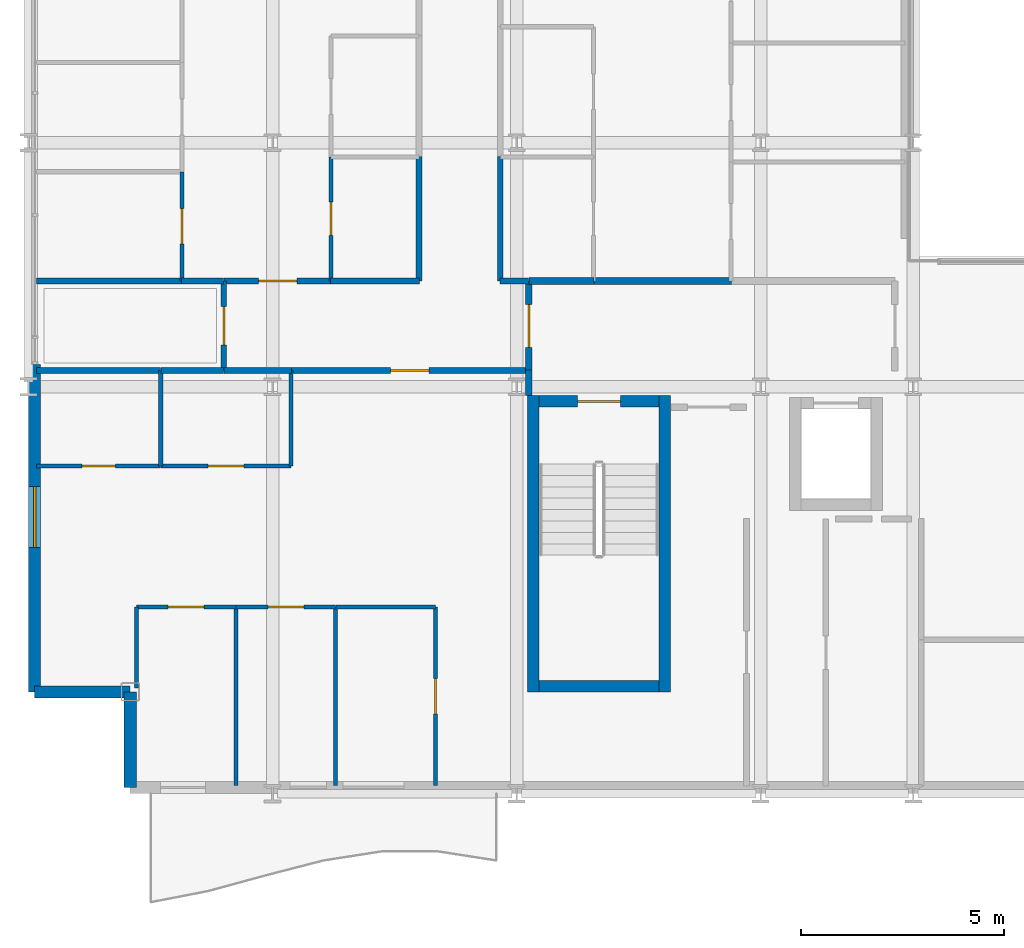
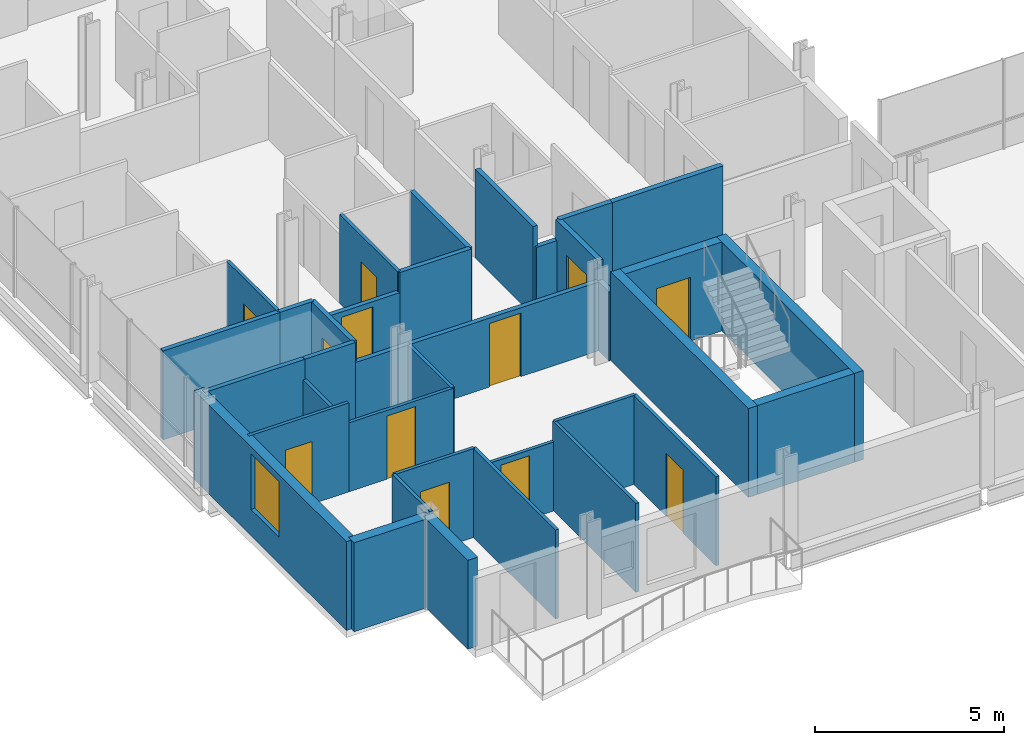
# One storey, part 31 of 41: 36 walls, 12 doors, 1 window, 13 openings.
"""IFC4 building model written with IfcOpenShell, lengths in metres."""

from ifc_helpers import new_model, si_unit, direction, frame, frame_2d, origin, place, context, subcontext, project, spatial, rectangle, extrude, material, layer, layer_set, type_object, element, fill, save


model = new_model("IFC4")

# Units and contexts
model_context = context("Model", 3, precision=1e-05, world=origin(), true_north=direction((0.0, 1.0)))
body_context = subcontext(model_context, "Body", "Model", "MODEL_VIEW")
ifc_project = project(units=[si_unit("LENGTHUNIT", "METRE"), si_unit("AREAUNIT", "SQUARE_METRE"), si_unit("VOLUMEUNIT", "CUBIC_METRE"), si_unit("PLANEANGLEUNIT", "RADIAN"), si_unit("MASSUNIT", "GRAM", prefix="KILO")], contexts=[model_context])

# Site, building, storey
site_placement = place(None, origin())
site = spatial("IfcSite", under=ifc_project, at=site_placement, CompositionType="ELEMENT")
building_placement = place(site_placement, origin())
building = spatial("IfcBuilding", under=site, at=building_placement, Name="Brevholm Reach", CompositionType="ELEMENT")
storey_placement = place(building_placement, frame((0.0, 0.0, 74.5)))
storey = spatial("IfcBuildingStorey", under=building, at=storey_placement, Name="L21", CompositionType="ELEMENT", Elevation=74.5)

# Walls
ifc_material_1 = material(Name="Concrete C50/60", Category="concrete")
ifc_layer_1 = layer(ifc_material_1, 0.280029296875)
ifc_layer_set_1 = layer_set([ifc_layer_1], Name="Concrete C50/60")
wall_type_1 = type_object("IfcWallType", Name="WAL-COR-280", PredefinedType="SHEAR", material=ifc_layer_set_1)
for number, where, z_axis, x_axis, name in (
    (1, (12.409912109375, 2.5, 0.0), (0.0, 0.0, 1.0), (0.0, 1.0, 0.0), "L21 Escape Stair ST-1 Core Wall W"),
    (2, (15.639892578125, 2.5, 0.0), (0.0, 0.0, 1.0), (0.0, 1.0, 0.0), "L21 Escape Stair ST-1 Core Wall E"),
):
    element("IfcWall", number, at=place(storey_placement, frame(where, z_axis=z_axis, x_axis=x_axis)), inside=storey, type_object=wall_type_1, Name=name, PredefinedType="SHEAR", context=body_context, shape_type="SweptSolid", body=[
        extrude(rectangle(XDim=7.280029296875, YDim=0.280029296875, at=frame_2d((3.64013671875, 0.0))), origin(), (0.0, 0.0, 1.0), 2.8701171875),
    ])
wall_1_placement = place(storey_placement, frame((12.550048828125, 2.639892578125, 0.0), z_axis=(0.0, 0.0, 1.0), x_axis=(1.0, 0.0, 0.0)))
element("IfcWall", 3, at=wall_1_placement, inside=storey, type_object=wall_type_1, Name="L21 Escape Stair ST-1 Core Wall S", PredefinedType="SHEAR", context=body_context, shape_type="SweptSolid", body=[
    extrude(rectangle(XDim=2.949951171875, YDim=0.280029296875, at=frame_2d((1.47509765625, 0.0))), origin(), (0.0, 0.0, 1.0), 2.8701171875),
])

# Wall, opening, door
wall_2_placement = place(storey_placement, frame((15.5, 9.639892578125, 0.0), z_axis=(0.0, 0.0, 1.0), x_axis=(-1.0, 0.0, 0.0)))
wall_2 = element("IfcWall", 4, at=wall_2_placement, inside=storey, type_object=wall_type_1, Name="L21 Escape Stair ST-1 Core Wall N", PredefinedType="SHEAR", context=body_context, shape_type="SweptSolid", body=[
    extrude(rectangle(XDim=2.949951171875, YDim=0.280029296875, at=frame_2d((1.47509765625, 0.0))), origin(), (0.0, 0.0, 1.0), 2.8701171875),
])
opening_1_placement = place(wall_2_placement, frame((0.949951171875, 0.0, 0.0)))
opening_1 = element("IfcOpeningElement", 5, at=opening_1_placement, cuts=wall_2, Name="Opening SD-ST-1", PredefinedType="OPENING", context=body_context, shape_type="SweptSolid", body=[
    extrude(rectangle(XDim=1.050048828125, YDim=2.06005859375, at=frame_2d((0.52490234375, 1.030029296875))), frame((0.0, 0.14990234375, 0.0), z_axis=(0.0, -1.0, 0.0), x_axis=(1.0, 0.0, 0.0)), (0.0, 0.0, 1.0), 0.300048828125),
])
ifc_material_2 = material(Name="Hardwood-Lipped Steel-Core Fire and Smoke Door", Category="steel")
door_type_1 = type_object("IfcDoorType", Name="DOR-INT-FD60S", OperationType="NOTDEFINED", PredefinedType="DOOR", material=ifc_material_2)
door_1_placement = place(opening_1_placement, origin())
door_1 = element("IfcDoor", 6, at=door_1_placement, inside=storey, type_object=door_type_1, Name="L21 Protected Stair ST-1 Lobby Door", OperationType="SINGLE_SWING_LEFT", OverallHeight=2.06005859375, OverallWidth=1.050048828125, PredefinedType="DOOR", context=body_context, shape_type="SweptSolid", body=[
    extrude(rectangle(XDim=1.050048828125, YDim=2.06005859375, at=frame_2d((0.52490234375, 1.030029296875))), frame((0.0, 0.02490234375, 0.0), z_axis=(0.0, -1.0, 0.0), x_axis=(1.0, 0.0, 0.0)), (0.0, 0.0, 1.0), 0.050048828125),
])
fill(opening_1, door_1)

# Walls
ifc_material_3 = material(Name="Concrete C40/50", Category="concrete")
ifc_layer_2 = layer(ifc_material_3, 0.300048828125)
ifc_layer_set_2 = layer_set([ifc_layer_2], Name="Concrete C40/50")
wall_type_2 = type_object("IfcWallType", Name="WAL-EXT-300", PredefinedType="STANDARD", material=ifc_layer_set_2)
for number, where, z_axis, x_axis, name in (
    (7, (2.5, 2.5, 0.0), (0.0, 0.0, 1.0), (0.0, -1.0, 0.0), "L21 Facade Wall WAL-L21-CSW1"),
    (8, (0.14990234375, 2.5, 0.0), (0.0, 0.0, 1.0), (1.0, 0.0, 0.0), "L21 Facade Wall WAL-L21-CSW2"),
):
    element("IfcWall", number, at=place(storey_placement, frame(where, z_axis=z_axis, x_axis=x_axis)), inside=storey, type_object=wall_type_2, Name=name, PredefinedType="STANDARD", context=body_context, shape_type="SweptSolid", body=[
        extrude(rectangle(XDim=2.35009765625, YDim=0.300048828125, at=frame_2d((1.175048828125, 0.0))), origin(), (0.0, 0.0, 1.0), 2.8701171875),
    ])

# Wall, opening, window
wall_3_placement = place(storey_placement, frame((0.14990234375, 10.550048828125, 0.0), z_axis=(0.0, 0.0, 1.0), x_axis=(0.0, -1.0, 0.0)))
wall_3 = element("IfcWall", 9, at=wall_3_placement, inside=storey, type_object=wall_type_2, Name="L21 Facade Wall WAL-L21-W-S", PredefinedType="STANDARD", context=body_context, shape_type="SweptSolid", body=[
    extrude(rectangle(XDim=8.050048828125, YDim=0.300048828125, at=frame_2d((4.02490234375, 0.0))), origin(), (0.0, 0.0, 1.0), 2.8701171875),
])
opening_2_placement = place(wall_3_placement, frame((3.0, 0.0, 0.85009765625)))
opening_2 = element("IfcOpeningElement", 10, at=opening_2_placement, cuts=wall_3, Name="Opening WN-05", PredefinedType="OPENING", context=body_context, shape_type="SweptSolid", body=[
    extrude(rectangle(XDim=1.5, YDim=1.800048828125, at=frame_2d((0.75, 0.89990234375))), frame((0.0, 0.159912109375, 0.0), z_axis=(0.0, -1.0, 0.0), x_axis=(1.0, 0.0, 0.0)), (0.0, 0.0, 1.0), 0.320068359375),
])
ifc_material_4 = material(Name="Dark Anodised Aluminium and Solar-Control IGU Glass", Category="aluminium")
window_type = type_object("IfcWindowType", Name="WIN-RES-1500", PartitioningType="SINGLE_PANEL", PredefinedType="WINDOW", material=ifc_material_4)
window_placement = place(opening_2_placement, origin())
window = element("IfcWindow", 11, at=window_placement, inside=storey, type_object=window_type, Name="L21 Window WIN-L21-WS-1", OverallHeight=1.800048828125, OverallWidth=1.5, PartitioningType="SINGLE_PANEL", PredefinedType="WINDOW", context=body_context, shape_type="SweptSolid", body=[
    extrude(rectangle(XDim=1.5, YDim=1.800048828125, at=frame_2d((0.75, 0.89990234375))), frame((0.0, 0.030029296875, 0.0), z_axis=(0.0, -1.0, 0.0), x_axis=(1.0, 0.0, 0.0)), (0.0, 0.0, 1.0), 0.06005859375),
])
fill(opening_2, window)

# Wall
ifc_material_5 = material(Name="Moisture-Resistant Acoustic Gypsum Stud Partition 100 mm", Category="gypsum")
ifc_layer_3 = layer(ifc_material_5, 0.10009765625)
ifc_layer_set_3 = layer_set([ifc_layer_3], Name="Moisture-Resistant Acoustic Gypsum Stud Partition 100 mm")
wall_type_3 = type_object("IfcWallType", Name="WAL-PRT-100", PredefinedType="PARTITIONING", material=ifc_layer_set_3)
wall_4_placement = place(storey_placement, frame((3.25, 8.053955078125, 0.0), z_axis=(0.0, 0.0, 1.0), x_axis=(0.0, 1.0, 0.0)))
element("IfcWall", 12, at=wall_4_placement, inside=storey, type_object=wall_type_3, Name="L21 Internal Partition 060", PredefinedType="PARTITIONING", context=body_context, shape_type="SweptSolid", body=[
    extrude(rectangle(XDim=2.345947265625, YDim=0.10009765625, at=frame_2d((1.1728515625, 0.0))), origin(), (0.0, 0.0, 1.0), 2.224853515625),
])

# Wall, opening, door
wall_5_placement = place(storey_placement, frame((0.199951171875, 8.053955078125, 0.0), z_axis=(0.0, 0.0, 1.0), x_axis=(1.0, 0.0, 0.0)))
wall_5 = element("IfcWall", 13, at=wall_5_placement, inside=storey, type_object=wall_type_3, Name="L21 Internal Partition 061", PredefinedType="PARTITIONING", context=body_context, shape_type="SweptSolid", body=[
    extrude(rectangle(XDim=3.050048828125, YDim=0.10009765625, at=frame_2d((1.52490234375, 0.0))), origin(), (0.0, 0.0, 1.0), 2.8701171875),
])
opening_3_placement = place(wall_5_placement, frame((1.114990234375, 0.0, 0.0)))
opening_3 = element("IfcOpeningElement", 14, at=opening_3_placement, cuts=wall_5, Name="Opening ID-03", PredefinedType="OPENING", context=body_context, shape_type="SweptSolid", body=[
    extrude(rectangle(XDim=0.820068359375, YDim=2.02001953125, at=frame_2d((0.41015625, 1.010009765625))), frame((0.0, 0.06005859375, 0.0), z_axis=(0.0, -1.0, 0.0), x_axis=(1.0, 0.0, 0.0)), (0.0, 0.0, 1.0), 0.1201171875),
])
ifc_material_6 = material(Name="Moisture-Resistant Painted Timber Internal Bathroom Door", Category="wood")
door_type_2 = type_object("IfcDoorType", Name="DOR-BATH-820", OperationType="NOTDEFINED", PredefinedType="DOOR", material=ifc_material_6)
door_2_placement = place(opening_3_placement, origin())
door_2 = element("IfcDoor", 15, at=door_2_placement, inside=storey, type_object=door_type_2, Name="L21 Internal Door 021", OperationType="SINGLE_SWING_LEFT", OverallHeight=2.02001953125, OverallWidth=0.820068359375, PredefinedType="DOOR", context=body_context, shape_type="SweptSolid", body=[
    extrude(rectangle(XDim=0.820068359375, YDim=2.02001953125, at=frame_2d((0.41015625, 1.010009765625))), frame((0.0, 0.02490234375, 0.0), z_axis=(0.0, -1.0, 0.0), x_axis=(1.0, 0.0, 0.0)), (0.0, 0.0, 1.0), 0.050048828125),
])
fill(opening_3, door_2)

wall_6_placement = place(storey_placement, frame((3.25390625, 8.053955078125, 0.0), z_axis=(0.0, 0.0, 1.0), x_axis=(1.0, 0.0, 0.0)))
wall_6 = element("IfcWall", 16, at=wall_6_placement, inside=storey, type_object=wall_type_3, Name="L21 Internal Partition 063", PredefinedType="PARTITIONING", context=body_context, shape_type="SweptSolid", body=[
    extrude(rectangle(XDim=3.196044921875, YDim=0.10009765625, at=frame_2d((1.59814453125, 0.0))), origin(), (0.0, 0.0, 1.0), 2.224853515625),
])
opening_4_placement = place(wall_6_placement, frame((1.157958984375, 0.0, 0.0)))
opening_4 = element("IfcOpeningElement", 17, at=opening_4_placement, cuts=wall_6, Name="Opening ID-01", PredefinedType="OPENING", context=body_context, shape_type="SweptSolid", body=[
    extrude(rectangle(XDim=0.8798828125, YDim=2.0400390625, at=frame_2d((0.43994140625, 1.02001953125))), frame((0.0, 0.06005859375, 0.0), z_axis=(0.0, -1.0, 0.0), x_axis=(1.0, 0.0, 0.0)), (0.0, 0.0, 1.0), 0.1201171875),
])
ifc_material_7 = material(Name="Lacquered Ash Solid-Core Acoustic Internal Door", Category="timber")
door_type_3 = type_object("IfcDoorType", Name="DOR-INT-880", OperationType="NOTDEFINED", PredefinedType="DOOR", material=ifc_material_7)
door_3_placement = place(opening_4_placement, origin())
door_3 = element("IfcDoor", 18, at=door_3_placement, inside=storey, type_object=door_type_3, Name="L21 Internal Door 022", OperationType="SINGLE_SWING_RIGHT", OverallHeight=2.0400390625, OverallWidth=0.8798828125, PredefinedType="DOOR", context=body_context, shape_type="SweptSolid", body=[
    extrude(rectangle(XDim=0.8798828125, YDim=2.0400390625, at=frame_2d((0.43994140625, 1.02001953125))), frame((0.0, 0.02490234375, 0.0), z_axis=(0.0, -1.0, 0.0), x_axis=(1.0, 0.0, 0.0)), (0.0, 0.0, 1.0), 0.050048828125),
])
fill(opening_4, door_3)

# Walls
wall_7_placement = place(storey_placement, frame((6.449951171875, 8.053955078125, 0.0), z_axis=(0.0, 0.0, 1.0), x_axis=(0.0, 1.0, 0.0)))
element("IfcWall", 19, at=wall_7_placement, inside=storey, type_object=wall_type_3, Name="L21 Internal Partition 064", PredefinedType="PARTITIONING", context=body_context, shape_type="SweptSolid", body=[
    extrude(rectangle(XDim=2.342041015625, YDim=0.10009765625, at=frame_2d((1.1708984375, 0.0))), origin(), (0.0, 0.0, 1.0), 2.224853515625),
])
wall_8_placement = place(storey_placement, frame((5.10009765625, 0.199951171875, 0.0), z_axis=(0.0, 0.0, 1.0), x_axis=(0.0, 1.0, 0.0)))
element("IfcWall", 20, at=wall_8_placement, inside=storey, type_object=wall_type_3, Name="L21 Internal Partition 066", PredefinedType="PARTITIONING", context=body_context, shape_type="SweptSolid", body=[
    extrude(rectangle(XDim=4.385986328125, YDim=0.10009765625, at=frame_2d((2.19287109375, 0.0))), origin(), (0.0, 0.0, 1.0), 2.8701171875),
])
wall_9_placement = place(storey_placement, frame((2.64990234375, 2.599365234375, 0.0), z_axis=(0.0, 0.0, 1.0), x_axis=(0.0, 1.0, 0.0)))
element("IfcWall", 21, at=wall_9_placement, inside=storey, type_object=wall_type_3, Name="L21 Internal Partition 067", PredefinedType="PARTITIONING", context=body_context, shape_type="SweptSolid", body=[
    extrude(rectangle(XDim=1.986572265625, YDim=0.10009765625, at=frame_2d((0.9931640625, 0.0))), origin(), (0.0, 0.0, 1.0), 2.8701171875),
])

# Wall, opening, door
wall_10_placement = place(storey_placement, frame((2.64990234375, 4.5859375, 0.0), z_axis=(0.0, 0.0, 1.0), x_axis=(1.0, 0.0, 0.0)))
wall_10 = element("IfcWall", 22, at=wall_10_placement, inside=storey, type_object=wall_type_3, Name="L21 Internal Partition 068", PredefinedType="PARTITIONING", context=body_context, shape_type="SweptSolid", body=[
    extrude(rectangle(XDim=2.4501953125, YDim=0.10009765625, at=frame_2d((1.22509765625, 0.0))), origin(), (0.0, 0.0, 1.0), 2.8701171875),
])
opening_5_placement = place(wall_10_placement, frame((0.784912109375, 0.0, 0.0)))
opening_5 = element("IfcOpeningElement", 23, at=opening_5_placement, cuts=wall_10, Name="Opening ID-01", PredefinedType="OPENING", context=body_context, shape_type="SweptSolid", body=[
    extrude(rectangle(XDim=0.8798828125, YDim=2.0400390625, at=frame_2d((0.43994140625, 1.02001953125))), frame((0.0, 0.06005859375, 0.0), z_axis=(0.0, -1.0, 0.0), x_axis=(1.0, 0.0, 0.0)), (0.0, 0.0, 1.0), 0.1201171875),
])
door_4_placement = place(opening_5_placement, origin())
door_4 = element("IfcDoor", 24, at=door_4_placement, inside=storey, type_object=door_type_3, Name="L21 Internal Door 023", OperationType="SINGLE_SWING_LEFT", OverallHeight=2.0400390625, OverallWidth=0.8798828125, PredefinedType="DOOR", context=body_context, shape_type="SweptSolid", body=[
    extrude(rectangle(XDim=0.8798828125, YDim=2.0400390625, at=frame_2d((0.43994140625, 1.02001953125))), frame((0.0, 0.02490234375, 0.0), z_axis=(0.0, -1.0, 0.0), x_axis=(1.0, 0.0, 0.0)), (0.0, 0.0, 1.0), 0.050048828125),
])
fill(opening_5, door_4)

# Wall
wall_11_placement = place(storey_placement, frame((7.550048828125, 0.199951171875, 0.0), z_axis=(0.0, 0.0, 1.0), x_axis=(0.0, 1.0, 0.0)))
element("IfcWall", 25, at=wall_11_placement, inside=storey, type_object=wall_type_3, Name="L21 Internal Partition 069", PredefinedType="PARTITIONING", context=body_context, shape_type="SweptSolid", body=[
    extrude(rectangle(XDim=4.385986328125, YDim=0.10009765625, at=frame_2d((2.19287109375, 0.0))), origin(), (0.0, 0.0, 1.0), 2.8701171875),
])

# Wall, opening, door
wall_12_placement = place(storey_placement, frame((5.10400390625, 4.5859375, 0.0), z_axis=(0.0, 0.0, 1.0), x_axis=(1.0, 0.0, 0.0)))
wall_12 = element("IfcWall", 26, at=wall_12_placement, inside=storey, type_object=wall_type_3, Name="L21 Internal Partition 070", PredefinedType="PARTITIONING", context=body_context, shape_type="SweptSolid", body=[
    extrude(rectangle(XDim=2.446044921875, YDim=0.10009765625, at=frame_2d((1.22314453125, 0.0))), origin(), (0.0, 0.0, 1.0), 2.224853515625),
])
opening_6_placement = place(wall_12_placement, frame((0.782958984375, 0.0, 0.0)))
opening_6 = element("IfcOpeningElement", 27, at=opening_6_placement, cuts=wall_12, Name="Opening ID-01", PredefinedType="OPENING", context=body_context, shape_type="SweptSolid", body=[
    extrude(rectangle(XDim=0.8798828125, YDim=2.0400390625, at=frame_2d((0.43994140625, 1.02001953125))), frame((0.0, 0.06005859375, 0.0), z_axis=(0.0, -1.0, 0.0), x_axis=(1.0, 0.0, 0.0)), (0.0, 0.0, 1.0), 0.1201171875),
])
door_5_placement = place(opening_6_placement, origin())
door_5 = element("IfcDoor", 28, at=door_5_placement, inside=storey, type_object=door_type_3, Name="L21 Internal Door 024", OperationType="SINGLE_SWING_RIGHT", OverallHeight=2.0400390625, OverallWidth=0.8798828125, PredefinedType="DOOR", context=body_context, shape_type="SweptSolid", body=[
    extrude(rectangle(XDim=0.8798828125, YDim=2.0400390625, at=frame_2d((0.43994140625, 1.02001953125))), frame((0.0, 0.02490234375, 0.0), z_axis=(0.0, -1.0, 0.0), x_axis=(1.0, 0.0, 0.0)), (0.0, 0.0, 1.0), 0.050048828125),
])
fill(opening_6, door_5)

wall_13_placement = place(storey_placement, frame((10.0, 0.199951171875, 0.0), z_axis=(0.0, 0.0, 1.0), x_axis=(0.0, 1.0, 0.0)))
wall_13 = element("IfcWall", 29, at=wall_13_placement, inside=storey, type_object=wall_type_3, Name="L21 Internal Partition 071", PredefinedType="PARTITIONING", context=body_context, shape_type="SweptSolid", body=[
    extrude(rectangle(XDim=4.385986328125, YDim=0.10009765625, at=frame_2d((2.19287109375, 0.0))), origin(), (0.0, 0.0, 1.0), 2.8701171875),
])
opening_7_placement = place(wall_13_placement, frame((1.7529296875, 0.0, 0.0)))
opening_7 = element("IfcOpeningElement", 30, at=opening_7_placement, cuts=wall_13, Name="Opening ID-01", PredefinedType="OPENING", context=body_context, shape_type="SweptSolid", body=[
    extrude(rectangle(XDim=0.8798828125, YDim=2.0400390625, at=frame_2d((0.43994140625, 1.02001953125))), frame((0.0, 0.06005859375, 0.0), z_axis=(0.0, -1.0, 0.0), x_axis=(1.0, 0.0, 0.0)), (0.0, 0.0, 1.0), 0.1201171875),
])
door_6_placement = place(opening_7_placement, origin())
door_6 = element("IfcDoor", 31, at=door_6_placement, inside=storey, type_object=door_type_3, Name="L21 Internal Door 025", OperationType="SINGLE_SWING_LEFT", OverallHeight=2.0400390625, OverallWidth=0.8798828125, PredefinedType="DOOR", context=body_context, shape_type="SweptSolid", body=[
    extrude(rectangle(XDim=0.8798828125, YDim=2.0400390625, at=frame_2d((0.43994140625, 1.02001953125))), frame((0.0, 0.02490234375, 0.0), z_axis=(0.0, -1.0, 0.0), x_axis=(1.0, 0.0, 0.0)), (0.0, 0.0, 1.0), 0.050048828125),
])
fill(opening_7, door_6)

# Wall
wall_14_placement = place(storey_placement, frame((7.553955078125, 4.5859375, 0.0), z_axis=(0.0, 0.0, 1.0), x_axis=(1.0, 0.0, 0.0)))
element("IfcWall", 32, at=wall_14_placement, inside=storey, type_object=wall_type_3, Name="L21 Internal Partition 072", PredefinedType="PARTITIONING", context=body_context, shape_type="SweptSolid", body=[
    extrude(rectangle(XDim=2.446044921875, YDim=0.10009765625, at=frame_2d((1.22314453125, 0.0))), origin(), (0.0, 0.0, 1.0), 2.8701171875),
])

# Wall, opening, door
wall_15_placement = place(storey_placement, frame((7.43798828125, 12.60400390625, 0.0), z_axis=(0.0, 0.0, 1.0), x_axis=(0.0, 1.0, 0.0)))
wall_15 = element("IfcWall", 33, at=wall_15_placement, inside=storey, type_object=wall_type_3, Name="L21 Internal Partition 088", PredefinedType="PARTITIONING", context=body_context, shape_type="SweptSolid", body=[
    extrude(rectangle(XDim=3.0458984375, YDim=0.10009765625, at=frame_2d((1.52294921875, 0.0))), origin(), (0.0, 0.0, 1.0), 2.8701171875),
])
opening_8_placement = place(wall_15_placement, frame((1.113037109375, 0.0, 0.0)))
opening_8 = element("IfcOpeningElement", 34, at=opening_8_placement, cuts=wall_15, Name="Opening ID-03", PredefinedType="OPENING", context=body_context, shape_type="SweptSolid", body=[
    extrude(rectangle(XDim=0.820068359375, YDim=2.02001953125, at=frame_2d((0.41015625, 1.010009765625))), frame((0.0, 0.06005859375, 0.0), z_axis=(0.0, -1.0, 0.0), x_axis=(1.0, 0.0, 0.0)), (0.0, 0.0, 1.0), 0.1201171875),
])
door_7_placement = place(opening_8_placement, origin())
door_7 = element("IfcDoor", 35, at=door_7_placement, inside=storey, type_object=door_type_2, Name="L21 Internal Door 030", OperationType="SINGLE_SWING_RIGHT", OverallHeight=2.02001953125, OverallWidth=0.820068359375, PredefinedType="DOOR", context=body_context, shape_type="SweptSolid", body=[
    extrude(rectangle(XDim=0.820068359375, YDim=2.02001953125, at=frame_2d((0.41015625, 1.010009765625))), frame((0.0, 0.02490234375, 0.0), z_axis=(0.0, -1.0, 0.0), x_axis=(1.0, 0.0, 0.0)), (0.0, 0.0, 1.0), 0.050048828125),
])
fill(opening_8, door_7)

wall_16_placement = place(storey_placement, frame((3.77197265625, 12.60400390625, 0.0), z_axis=(0.0, 0.0, 1.0), x_axis=(0.0, 1.0, 0.0)))
wall_16 = element("IfcWall", 36, at=wall_16_placement, inside=storey, type_object=wall_type_3, Name="L21 Internal Partition 092", PredefinedType="PARTITIONING", context=body_context, shape_type="SweptSolid", body=[
    extrude(rectangle(XDim=2.680908203125, YDim=0.10009765625, at=frame_2d((1.34033203125, 0.0))), origin(), (0.0, 0.0, 1.0), 2.8701171875),
])
opening_9_placement = place(wall_16_placement, frame((0.900390625, 0.0, 0.0)))
opening_9 = element("IfcOpeningElement", 37, at=opening_9_placement, cuts=wall_16, Name="Opening ID-01", PredefinedType="OPENING", context=body_context, shape_type="SweptSolid", body=[
    extrude(rectangle(XDim=0.8798828125, YDim=2.0400390625, at=frame_2d((0.43994140625, 1.02001953125))), frame((0.0, 0.06005859375, 0.0), z_axis=(0.0, -1.0, 0.0), x_axis=(1.0, 0.0, 0.0)), (0.0, 0.0, 1.0), 0.1201171875),
])
door_8_placement = place(opening_9_placement, origin())
door_8 = element("IfcDoor", 38, at=door_8_placement, inside=storey, type_object=door_type_3, Name="L21 Internal Door 032", OperationType="SINGLE_SWING_RIGHT", OverallHeight=2.0400390625, OverallWidth=0.8798828125, PredefinedType="DOOR", context=body_context, shape_type="SweptSolid", body=[
    extrude(rectangle(XDim=0.8798828125, YDim=2.0400390625, at=frame_2d((0.43994140625, 1.02001953125))), frame((0.0, 0.02490234375, 0.0), z_axis=(0.0, -1.0, 0.0), x_axis=(1.0, 0.0, 0.0)), (0.0, 0.0, 1.0), 0.050048828125),
])
fill(opening_9, door_8)

# Wall
ifc_material_8 = material(Name="Twin-Stud Acoustic Fire-Rated Gypsum Partition 140 mm", Category="gypsum")
ifc_layer_4 = layer(ifc_material_8, 0.139892578125)
ifc_layer_set_4 = layer_set([ifc_layer_4], Name="Twin-Stud Acoustic Fire-Rated Gypsum Partition 140 mm")
wall_type_4 = type_object("IfcWallType", Name="WAL-PRT-140", PredefinedType="PARTITIONING", material=ifc_layer_set_4)
wall_17_placement = place(storey_placement, frame((4.800048828125, 10.39990234375, 0.0), z_axis=(0.0, 0.0, 1.0), x_axis=(1.0, 0.0, 0.0)))
element("IfcWall", 39, at=wall_17_placement, inside=storey, type_object=wall_type_4, Name="L21 Internal Partition 025", PredefinedType="PARTITIONING", context=body_context, shape_type="SweptSolid", body=[
    extrude(rectangle(XDim=1.6611328125, YDim=0.139892578125, at=frame_2d((0.83056640625, 0.0))), origin(), (0.0, 0.0, 1.0), 2.224853515625),
])

# Wall, opening, door
wall_18_placement = place(storey_placement, frame((6.442626953125, 10.39990234375, 0.0), z_axis=(0.0, 0.0, 1.0), x_axis=(1.0, 0.0, 0.0)))
wall_18 = element("IfcWall", 40, at=wall_18_placement, inside=storey, type_object=wall_type_4, Name="L21 Internal Partition 026", PredefinedType="PARTITIONING", context=body_context, shape_type="SweptSolid", body=[
    extrude(rectangle(XDim=5.853271484375, YDim=0.139892578125, at=frame_2d((2.9267578125, 0.0))), origin(), (0.0, 0.0, 1.0), 2.224853515625),
])
opening_10_placement = place(wall_18_placement, frame((2.45166015625, 0.0, 0.0)))
opening_10 = element("IfcOpeningElement", 41, at=opening_10_placement, cuts=wall_18, Name="Opening ID-30", PredefinedType="OPENING", context=body_context, shape_type="SweptSolid", body=[
    extrude(rectangle(XDim=0.949951171875, YDim=2.050048828125, at=frame_2d((0.47509765625, 1.02490234375))), frame((0.0, 0.079833984375, 0.0), z_axis=(0.0, -1.0, 0.0), x_axis=(1.0, 0.0, 0.0)), (0.0, 0.0, 1.0), 0.159912109375),
])
ifc_material_9 = material(Name="European Oak Veneered Solid-Core Fire Entrance Door", Category="timber")
door_type_4 = type_object("IfcDoorType", Name="DOR-FLT-FD30S", OperationType="NOTDEFINED", PredefinedType="DOOR", material=ifc_material_9)
door_9_placement = place(opening_10_placement, origin())
door_9 = element("IfcDoor", 42, at=door_9_placement, inside=storey, type_object=door_type_4, Name="L21 Internal Door 012", OperationType="SINGLE_SWING_RIGHT", OverallHeight=2.050048828125, OverallWidth=0.949951171875, PredefinedType="DOOR", context=body_context, shape_type="SweptSolid", body=[
    extrude(rectangle(XDim=0.949951171875, YDim=2.050048828125, at=frame_2d((0.47509765625, 1.02490234375))), frame((0.0, 0.02490234375, 0.0), z_axis=(0.0, -1.0, 0.0), x_axis=(1.0, 0.0, 0.0)), (0.0, 0.0, 1.0), 0.050048828125),
])
fill(opening_10, door_9)

wall_19_placement = place(storey_placement, frame((4.800048828125, 10.39990234375, 0.0), z_axis=(0.0, 0.0, 1.0), x_axis=(0.0, 1.0, 0.0)))
wall_19 = element("IfcWall", 43, at=wall_19_placement, inside=storey, type_object=wall_type_4, Name="L21 Internal Partition 027", PredefinedType="PARTITIONING", context=body_context, shape_type="SweptSolid", body=[
    extrude(rectangle(XDim=2.2001953125, YDim=0.139892578125, at=frame_2d((1.10009765625, 0.0))), origin(), (0.0, 0.0, 1.0), 2.8701171875),
])
opening_11_placement = place(wall_19_placement, frame((0.625, 0.0, 0.0)))
opening_11 = element("IfcOpeningElement", 44, at=opening_11_placement, cuts=wall_19, Name="Opening ID-30", PredefinedType="OPENING", context=body_context, shape_type="SweptSolid", body=[
    extrude(rectangle(XDim=0.949951171875, YDim=2.050048828125, at=frame_2d((0.47509765625, 1.02490234375))), frame((0.0, 0.079833984375, 0.0), z_axis=(0.0, -1.0, 0.0), x_axis=(1.0, 0.0, 0.0)), (0.0, 0.0, 1.0), 0.159912109375),
])
door_10_placement = place(opening_11_placement, origin())
door_10 = element("IfcDoor", 45, at=door_10_placement, inside=storey, type_object=door_type_4, Name="L21 Internal Door 013", OperationType="SINGLE_SWING_LEFT", OverallHeight=2.050048828125, OverallWidth=0.949951171875, PredefinedType="DOOR", context=body_context, shape_type="SweptSolid", body=[
    extrude(rectangle(XDim=0.949951171875, YDim=2.050048828125, at=frame_2d((0.47509765625, 1.02490234375))), frame((0.0, 0.02490234375, 0.0), z_axis=(0.0, -1.0, 0.0), x_axis=(1.0, 0.0, 0.0)), (0.0, 0.0, 1.0), 0.050048828125),
])
fill(opening_11, door_10)

# Wall
wall_20_placement = place(storey_placement, frame((7.4267578125, 12.60009765625, 0.0), z_axis=(0.0, 0.0, 1.0), x_axis=(1.0, 0.0, 0.0)))
element("IfcWall", 46, at=wall_20_placement, inside=storey, type_object=wall_type_4, Name="L21 Internal Partition 028", PredefinedType="PARTITIONING", context=body_context, shape_type="SweptSolid", body=[
    extrude(rectangle(XDim=2.1806640625, YDim=0.139892578125, at=frame_2d((1.09033203125, 0.0))), origin(), (0.0, 0.0, 1.0), 2.8701171875),
])

# Wall, opening, door
wall_21_placement = place(storey_placement, frame((4.800048828125, 12.60009765625, 0.0), z_axis=(0.0, 0.0, 1.0), x_axis=(1.0, 0.0, 0.0)))
wall_21 = element("IfcWall", 47, at=wall_21_placement, inside=storey, type_object=wall_type_4, Name="L21 Internal Partition 029", PredefinedType="PARTITIONING", context=body_context, shape_type="SweptSolid", body=[
    extrude(rectangle(XDim=2.645263671875, YDim=0.139892578125, at=frame_2d((1.32275390625, 0.0))), origin(), (0.0, 0.0, 1.0), 2.224853515625),
])
opening_12_placement = place(wall_21_placement, frame((0.84765625, 0.0, 0.0)))
opening_12 = element("IfcOpeningElement", 48, at=opening_12_placement, cuts=wall_21, Name="Opening ID-30", PredefinedType="OPENING", context=body_context, shape_type="SweptSolid", body=[
    extrude(rectangle(XDim=0.949951171875, YDim=2.050048828125, at=frame_2d((0.47509765625, 1.02490234375))), frame((0.0, 0.079833984375, 0.0), z_axis=(0.0, -1.0, 0.0), x_axis=(1.0, 0.0, 0.0)), (0.0, 0.0, 1.0), 0.159912109375),
])
door_11_placement = place(opening_12_placement, origin())
door_11 = element("IfcDoor", 49, at=door_11_placement, inside=storey, type_object=door_type_4, Name="L21 Internal Door 014", OperationType="SINGLE_SWING_RIGHT", OverallHeight=2.050048828125, OverallWidth=0.949951171875, PredefinedType="DOOR", context=body_context, shape_type="SweptSolid", body=[
    extrude(rectangle(XDim=0.949951171875, YDim=2.050048828125, at=frame_2d((0.47509765625, 1.02490234375))), frame((0.0, 0.02490234375, 0.0), z_axis=(0.0, -1.0, 0.0), x_axis=(1.0, 0.0, 0.0)), (0.0, 0.0, 1.0), 0.050048828125),
])
fill(opening_12, door_11)

# Walls
wall_22_placement = place(storey_placement, frame((11.5927734375, 12.60009765625, 0.0), z_axis=(0.0, 0.0, 1.0), x_axis=(1.0, 0.0, 0.0)))
element("IfcWall", 50, at=wall_22_placement, inside=storey, type_object=wall_type_4, Name="L21 Internal Partition 030", PredefinedType="PARTITIONING", context=body_context, shape_type="SweptSolid", body=[
    extrude(rectangle(XDim=0.703125, YDim=0.139892578125, at=frame_2d((0.3515625, 0.0))), origin(), (0.0, 0.0, 1.0), 2.224853515625),
])
for number, where, z_axis, x_axis, name in (
    (51, (9.60009765625, 12.60400390625, 0.0), (0.0, 0.0, 1.0), (0.0, 1.0, 0.0), "L21 Internal Partition 034"),
    (52, (11.60009765625, 12.60400390625, 0.0), (0.0, 0.0, 1.0), (0.0, 1.0, 0.0), "L21 Internal Partition 040"),
):
    element("IfcWall", number, at=place(storey_placement, frame(where, z_axis=z_axis, x_axis=x_axis)), inside=storey, type_object=wall_type_4, Name=name, PredefinedType="PARTITIONING", context=body_context, shape_type="SweptSolid", body=[
        extrude(rectangle(XDim=3.057373046875, YDim=0.139892578125, at=frame_2d((1.52880859375, 0.0))), origin(), (0.0, 0.0, 1.0), 2.8701171875),
    ])
wall_23_placement = place(storey_placement, frame((0.199951171875, 10.39990234375, 0.0), z_axis=(0.0, 0.0, 1.0), x_axis=(1.0, 0.0, 0.0)))
element("IfcWall", 53, at=wall_23_placement, inside=storey, type_object=wall_type_4, Name="L21 Internal Partition 062", PredefinedType="PARTITIONING", context=body_context, shape_type="SweptSolid", body=[
    extrude(rectangle(XDim=3.050048828125, YDim=0.139892578125, at=frame_2d((1.52490234375, 0.0))), origin(), (0.0, 0.0, 1.0), 2.8701171875),
])
wall_24_placement = place(storey_placement, frame((3.25390625, 10.39990234375, 0.0), z_axis=(0.0, 0.0, 1.0), x_axis=(1.0, 0.0, 0.0)))
element("IfcWall", 54, at=wall_24_placement, inside=storey, type_object=wall_type_4, Name="L21 Internal Partition 065", PredefinedType="PARTITIONING", context=body_context, shape_type="SweptSolid", body=[
    extrude(rectangle(XDim=1.5419921875, YDim=0.139892578125, at=frame_2d((0.77099609375, 0.0))), origin(), (0.0, 0.0, 1.0), 2.8701171875),
])
wall_25_placement = place(storey_placement, frame((0.199951171875, 12.60009765625, 0.0), z_axis=(0.0, 0.0, 1.0), x_axis=(1.0, 0.0, 0.0)))
element("IfcWall", 55, at=wall_25_placement, inside=storey, type_object=wall_type_4, Name="L21 Internal Partition 073", PredefinedType="PARTITIONING", context=body_context, shape_type="SweptSolid", body=[
    extrude(rectangle(XDim=3.583251953125, YDim=0.139892578125, at=frame_2d((1.79150390625, 0.0))), origin(), (0.0, 0.0, 1.0), 2.8701171875),
])
wall_26_placement = place(storey_placement, frame((3.7646484375, 12.60009765625, 0.0), z_axis=(0.0, 0.0, 1.0), x_axis=(1.0, 0.0, 0.0)))
element("IfcWall", 56, at=wall_26_placement, inside=storey, type_object=wall_type_4, Name="L21 Internal Partition 074", PredefinedType="PARTITIONING", context=body_context, shape_type="SweptSolid", body=[
    extrude(rectangle(XDim=1.03125, YDim=0.139892578125, at=frame_2d((0.515625, 0.0))), origin(), (0.0, 0.0, 1.0), 2.8701171875),
])

# Wall, opening, door
ifc_material_10 = material(Name="Twin-Frame Fire-Rated Gypsum Board and Mineral Wool 160 mm", Category="gypsum")
ifc_layer_5 = layer(ifc_material_10, 0.159912109375)
ifc_layer_set_5 = layer_set([ifc_layer_5], Name="Twin-Frame Fire-Rated Gypsum Board and Mineral Wool 160 mm")
wall_type_5 = type_object("IfcWallType", Name="WAL-PRT-160", PredefinedType="PARTITIONING", material=ifc_layer_set_5)
wall_27_placement = place(storey_placement, frame((12.300048828125, 10.388671875, 0.0), z_axis=(0.0, 0.0, 1.0), x_axis=(0.0, 1.0, 0.0)))
wall_27 = element("IfcWall", 57, at=wall_27_placement, inside=storey, type_object=wall_type_5, Name="L21 Internal Partition 014", PredefinedType="PARTITIONING", context=body_context, shape_type="SweptSolid", body=[
    extrude(rectangle(XDim=2.21142578125, YDim=0.159912109375, at=frame_2d((1.105712890625, 0.0))), origin(), (0.0, 0.0, 1.0), 2.8701171875),
])
opening_13_placement = place(wall_27_placement, frame((0.58056640625, 0.0, 0.0)))
opening_13 = element("IfcOpeningElement", 58, at=opening_13_placement, cuts=wall_27, Name="Opening FD-01", PredefinedType="OPENING", context=body_context, shape_type="SweptSolid", body=[
    extrude(rectangle(XDim=1.050048828125, YDim=2.06005859375, at=frame_2d((0.52490234375, 1.030029296875))), frame((0.0, 0.08984375, 0.0), z_axis=(0.0, -1.0, 0.0), x_axis=(1.0, 0.0, 0.0)), (0.0, 0.0, 1.0), 0.179931640625),
])
door_12_placement = place(opening_13_placement, origin())
door_12 = element("IfcDoor", 59, at=door_12_placement, inside=storey, type_object=door_type_1, Name="L21 Internal Door 008", OperationType="SINGLE_SWING_RIGHT", OverallHeight=2.06005859375, OverallWidth=1.050048828125, PredefinedType="DOOR", context=body_context, shape_type="SweptSolid", body=[
    extrude(rectangle(XDim=1.050048828125, YDim=2.06005859375, at=frame_2d((0.52490234375, 1.030029296875))), frame((0.0, 0.02490234375, 0.0), z_axis=(0.0, -1.0, 0.0), x_axis=(1.0, 0.0, 0.0)), (0.0, 0.0, 1.0), 0.050048828125),
])
fill(opening_13, door_12)

# Walls
wall_28_placement = place(storey_placement, frame((12.300048828125, 9.7900390625, 0.0), z_axis=(0.0, 0.0, 1.0), x_axis=(0.0, 1.0, 0.0)))
element("IfcWall", 60, at=wall_28_placement, inside=storey, type_object=wall_type_5, Name="L21 Internal Partition 016", PredefinedType="PARTITIONING", context=body_context, shape_type="SweptSolid", body=[
    extrude(rectangle(XDim=0.6171875, YDim=0.159912109375, at=frame_2d((0.30859375, 0.0))), origin(), (0.0, 0.0, 1.0), 2.224853515625),
])
wall_29_placement = place(storey_placement, frame((12.300048828125, 12.60009765625, 0.0), z_axis=(0.0, 0.0, 1.0), x_axis=(1.0, 0.0, 0.0)))
element("IfcWall", 61, at=wall_29_placement, inside=storey, type_object=wall_type_5, Name="L21 Internal Partition 017", PredefinedType="PARTITIONING", context=body_context, shape_type="SweptSolid", body=[
    extrude(rectangle(XDim=1.600341796875, YDim=0.159912109375, at=frame_2d((0.80029296875, 0.0))), origin(), (0.0, 0.0, 1.0), 2.8701171875),
])
wall_30_placement = place(storey_placement, frame((13.881591796875, 12.60009765625, 0.0), z_axis=(0.0, 0.0, 1.0), x_axis=(1.0, 0.0, 0.0)))
element("IfcWall", 62, at=wall_30_placement, inside=storey, type_object=wall_type_5, Name="L21 Internal Partition 019", PredefinedType="PARTITIONING", context=body_context, shape_type="SweptSolid", body=[
    extrude(rectangle(XDim=3.396728515625, YDim=0.159912109375, at=frame_2d((1.6982421875, 0.0))), origin(), (0.0, 0.0, 1.0), 2.8701171875),
])

save(model, "model.ifc")
